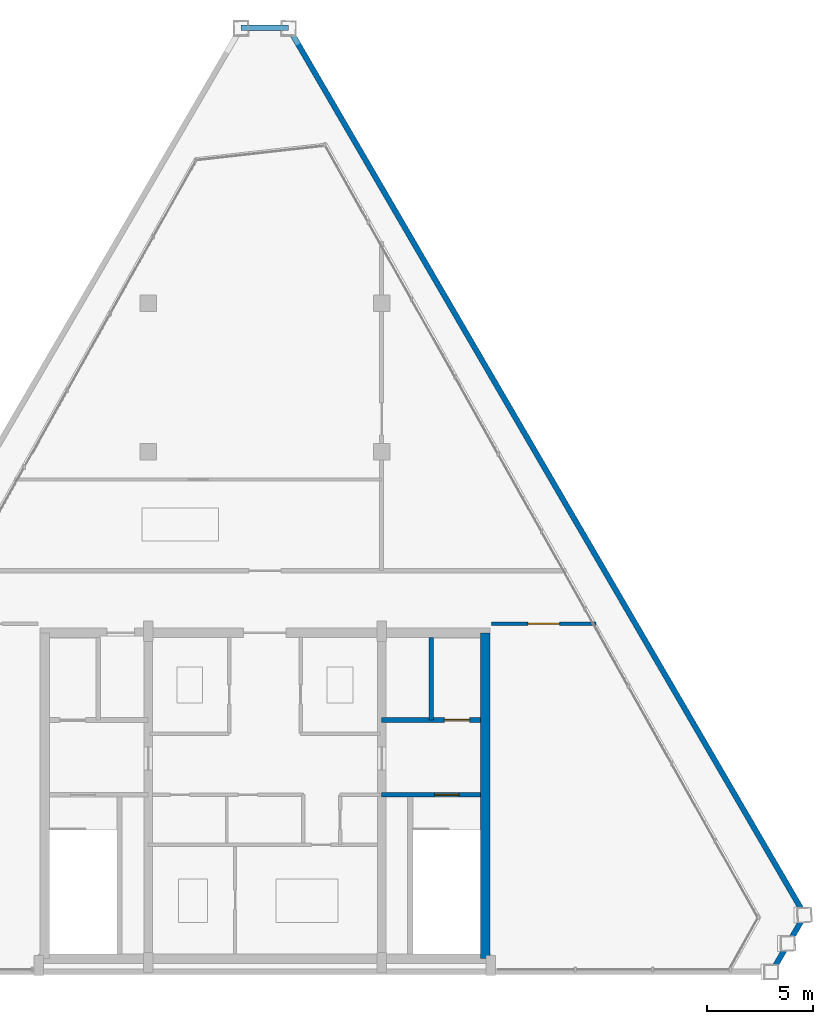
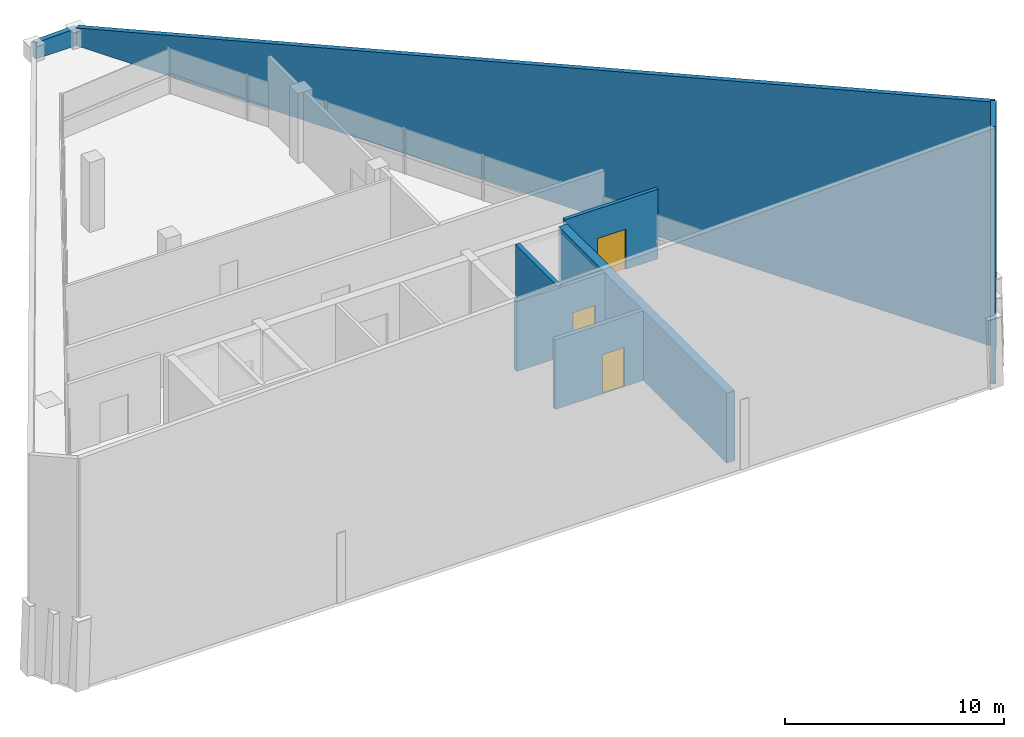
# One storey, part 7 of 8: 8 walls, 3 doors, 3 openings.
"""IFC4 building model written with IfcOpenShell, lengths in metres."""

from ifc_helpers import new_model, si_unit, direction, frame, frame_2d, origin, place, context, subcontext, project, spatial, polyline, rectangle, outline, extrude, source, transform, mapped, material, layer, layer_set, type_object, type_shapes, element, fill, save


model = new_model("IFC4")

# Units and contexts
model_context = context("Model", 3, precision=1e-05, world=origin(), true_north=direction((0.0, 1.0)))
body_context = subcontext(model_context, "Body", "Model", "MODEL_VIEW")
ifc_project = project(units=[si_unit("LENGTHUNIT", "METRE"), si_unit("AREAUNIT", "SQUARE_METRE"), si_unit("VOLUMEUNIT", "CUBIC_METRE"), si_unit("PLANEANGLEUNIT", "RADIAN"), si_unit("MASSUNIT", "GRAM", prefix="KILO")], contexts=[model_context])

# Site, building, storey
site_placement = place(None, origin())
site = spatial("IfcSite", under=ifc_project, at=site_placement, CompositionType="ELEMENT")
building_placement = place(site_placement, origin())
building = spatial("IfcBuilding", under=site, at=building_placement, Name="Varnakhor Terracotta Tower", CompositionType="ELEMENT")
storey_placement = place(building_placement, frame((0.0, 0.0, 329.199951171875)))
storey = spatial("IfcBuildingStorey", under=building, at=storey_placement, Name="L86 Crown", CompositionType="ELEMENT", Elevation=329.199951171875)

# Wall
ifc_material_1 = material(Name="Concrete C50/60", Category="concrete")
ifc_layer_1 = layer(ifc_material_1, 0.449951171875, Name="Concrete C50/60")
ifc_layer_set_1 = layer_set([ifc_layer_1], Name="Concrete C50/60")
wall_type_1 = type_object("IfcWallType", Name="WAL-CORE-450", PredefinedType="SHEAR", material=ifc_layer_set_1)
wall_1_placement = place(storey_placement, frame((10.375, 0.625, 0.0), z_axis=(0.0, 0.0, 1.0), x_axis=(0.0, 1.0, 0.0)))
element("IfcWall", 1, at=wall_1_placement, inside=storey, type_object=wall_type_1, Name="L86 Crown East Core Shear Wall", PredefinedType="SHEAR", context=body_context, shape_type="SweptSolid", body=[
    extrude(rectangle(XDim=15.35009765625, YDim=0.449951171875, at=frame_2d((7.675048828125, 0.0))), origin(), (0.0, 0.0, 1.0), 3.900146484375),
])

# Wall, opening, door
ifc_material_2 = material(Name="Fire-Rated Gypsum Stud Partition", Category="gypsum")
ifc_layer_2 = layer(ifc_material_2, 0.18505859375, Name="Fire-Rated Gypsum Stud Partition")
ifc_layer_set_2 = layer_set([ifc_layer_2], Name="Fire-Rated Gypsum Stud Partition")
wall_type_2 = type_object("IfcWallType", Name="WAL-CORR-185", PredefinedType="PARTITIONING", material=ifc_layer_set_2)
wall_2_placement = place(storey_placement, frame((10.679931640625, 16.39990234375, 0.0), z_axis=(0.0, 0.0, 1.0), x_axis=(1.0, 0.0, 0.0)))
wall_2 = element("IfcWall", 2, at=wall_2_placement, inside=storey, type_object=wall_type_2, Name="L86 Crown East Plant Wall", PredefinedType="PARTITIONING", context=body_context, shape_type="SweptSolid", body=[
    extrude(rectangle(XDim=4.911376953125, YDim=0.18505859375, at=frame_2d((2.45556640625, 0.0))), origin(), (0.0, 0.0, 1.0), 3.89501953125),
])
opening_1_placement = place(wall_2_placement, frame((1.705810546875, 0.0, 0.0)))
opening_1 = element("IfcOpeningElement", 3, at=opening_1_placement, cuts=wall_2, Name="Opening DR-30", PredefinedType="OPENING", context=body_context, shape_type="SweptSolid", body=[
    extrude(rectangle(XDim=1.5, YDim=2.25, at=frame_2d((0.75, 1.125))), frame((0.0, 0.1025390625, 0.0), z_axis=(0.0, -1.0, 0.0), x_axis=(1.0, 0.0, 0.0)), (0.0, 0.0, 1.0), 0.205078125),
])
ifc_material_3 = material(Name="Double Acoustic Conference Room Door", Category="wood")
door_type_1 = type_object("IfcDoorType", Name="DR-MEET-1500X2250", OperationType="NOTDEFINED", PredefinedType="DOOR", material=ifc_material_3)
shared_shape_1 = source(origin(), body_context, "Body", "SweptSolid", [
    extrude(rectangle(XDim=1.5, YDim=2.25, at=frame_2d((0.75, 1.125))), frame((0.0, 0.02490234375, 0.0), z_axis=(0.0, -1.0, 0.0), x_axis=(1.0, 0.0, 0.0)), (0.0, 0.0, 1.0), 0.050048828125),
])
type_shapes(door_type_1, [shared_shape_1])
door_1_placement = place(opening_1_placement, origin())
door_1 = element("IfcDoor", 4, at=door_1_placement, inside=storey, type_object=door_type_1, Name="L86 Crown East Electrical Room Door", OperationType="DOUBLE_DOOR_SINGLE_SWING", OverallHeight=2.25, OverallWidth=1.5, PredefinedType="DOOR", context=body_context, shape_type="MappedRepresentation", body=[
    mapped(shared_shape_1, transform((0.0, 0.0, 0.0), scale=1.0)),
])
fill(opening_1, door_1)

ifc_material_4 = material(Name="Concrete C40/50", Category="concrete")
ifc_layer_3 = layer(ifc_material_4, 0.219970703125, Name="Concrete C40/50")
ifc_layer_set_3 = layer_set([ifc_layer_3], Name="Concrete C40/50")
wall_type_3 = type_object("IfcWallType", Name="WAL-FFLOBBY-220", PredefinedType="SOLIDWALL", material=ifc_layer_set_3)
wall_3_placement = place(storey_placement, frame((10.14990234375, 8.35009765625, 0.0), z_axis=(0.0, 0.0, 1.0), x_axis=(-1.0, 0.0, 0.0)))
wall_3 = element("IfcWall", 5, at=wall_3_placement, inside=storey, type_object=wall_type_3, Name="L86 Crown East Firefighting Lobby Stair Wall", PredefinedType="SOLIDWALL", context=body_context, shape_type="SweptSolid", body=[
    extrude(rectangle(XDim=4.64990234375, YDim=0.219970703125, at=frame_2d((2.324951171875, 0.0))), origin(), (0.0, 0.0, 1.0), 3.900146484375),
])
opening_2_placement = place(wall_3_placement, frame((1.0, 0.0, 0.0)))
opening_2 = element("IfcOpeningElement", 6, at=opening_2_placement, cuts=wall_3, Name="Opening DR-34", PredefinedType="OPENING", context=body_context, shape_type="SweptSolid", body=[
    extrude(rectangle(XDim=1.14990234375, YDim=2.199951171875, at=frame_2d((0.574951171875, 1.10009765625))), frame((0.0, 0.1201171875, 0.0), z_axis=(0.0, -1.0, 0.0), x_axis=(1.0, 0.0, 0.0)), (0.0, 0.0, 1.0), 0.239990234375),
])
ifc_material_5 = material(Name="Self-Closing Smoke-Sealed Steel Fire Door", Category="steel")
door_type_2 = type_object("IfcDoorType", Name="DR-STAIR-1150X2200", OperationType="NOTDEFINED", PredefinedType="DOOR", material=ifc_material_5)
shared_shape_2 = source(origin(), body_context, "Body", "SweptSolid", [
    extrude(rectangle(XDim=1.14990234375, YDim=2.199951171875, at=frame_2d((0.574951171875, 1.10009765625))), frame((0.0, 0.02490234375, 0.0), z_axis=(0.0, -1.0, 0.0), x_axis=(1.0, 0.0, 0.0)), (0.0, 0.0, 1.0), 0.050048828125),
])
type_shapes(door_type_2, [shared_shape_2])
door_2_placement = place(opening_2_placement, origin())
door_2 = element("IfcDoor", 7, at=door_2_placement, inside=storey, type_object=door_type_2, Name="L86 Crown Exit Stair ST-2 Fire Door", OperationType="SINGLE_SWING_LEFT", OverallHeight=2.199951171875, OverallWidth=1.14990234375, PredefinedType="DOOR", context=body_context, shape_type="MappedRepresentation", body=[
    mapped(shared_shape_2, transform((0.0, 0.0, 0.0), scale=1.0)),
])
fill(opening_2, door_2)

# Walls
ifc_material_6 = material(Name="Extruded Architectural Terracotta Parapet", Category="masonry")
ifc_layer_4 = layer(ifc_material_6, 0.260009765625, Name="Extruded Architectural Terracotta Parapet")
ifc_layer_set_4 = layer_set([ifc_layer_4], Name="Extruded Architectural Terracotta Parapet")
wall_type_4 = type_object("IfcWallType", Name="WAL-PARAPET-260", PredefinedType="PARAPET", material=ifc_layer_set_4)
wall_4_placement = place(storey_placement, frame((-1.1201171875, 44.468017578125, 0.0), z_axis=(0.0, 0.0, 1.0), x_axis=(1.0, 0.0, 0.0)))
element("IfcWall", 8, at=wall_4_placement, inside=storey, type_object=wall_type_4, Name="Crown Sloped Terracotta Closure Wall 2", PredefinedType="PARAPET", context=body_context, shape_type="SweptSolid", body=[
    extrude(outline(polyline([(0.0, 0.0), (2.240234375, 0.0), (2.240478515625, 0.966796875), (0.0, 0.895263671875), (0.0, 0.0)])), frame((0.0, 0.1298828125, 0.0), z_axis=(0.0, -1.0, 0.0), x_axis=(1.0, 0.0, 0.0)), (0.0, 0.0, 1.0), 0.260009765625),
])
wall_5_placement = place(storey_placement, frame((1.1201171875, 44.468017578125, 0.0), z_axis=(0.0, 0.0, 1.0), x_axis=(0.502900849173, -0.864344107344, 0.0)))
element("IfcWall", 9, at=wall_5_placement, inside=storey, type_object=wall_type_4, Name="Crown Sloped Terracotta Closure Wall 3", PredefinedType="PARAPET", context=body_context, shape_type="SweptSolid", body=[
    extrude(outline(polyline([(0.0, 0.0), (48.347412109375, 0.0), (48.347412109375, 13.654541015625), (0.0, 0.966796875), (0.0, 0.0)])), frame((0.0, 0.1298828125, 0.0), z_axis=(0.0, -1.0, 0.0), x_axis=(1.0, 0.0, 0.0)), (0.0, 0.0, 1.0), 0.260009765625),
])
wall_6_placement = place(storey_placement, frame((25.43408203125, 2.67919921875, 0.0), z_axis=(0.0, 0.0, 1.0), x_axis=(-0.502842220965, -0.864378216301, 0.0)))
element("IfcWall", 10, at=wall_6_placement, inside=storey, type_object=wall_type_4, Name="Crown Sloped Terracotta Closure Wall 4", PredefinedType="PARAPET", context=body_context, shape_type="SweptSolid", body=[
    extrude(outline(polyline([(0.0, 0.0), (3.099609375, 0.0), (3.099609375, 14.368408203125), (0.0, 13.654541015625), (0.0, 0.0)])), frame((0.0, 0.1298828125, 0.0), z_axis=(0.0, -1.0, 0.0), x_axis=(1.0, 0.0, 0.0)), (0.0, 0.0, 1.0), 0.260009765625),
])
ifc_layer_5 = layer(ifc_material_4, 0.219970703125, Name="Concrete C40/50")
ifc_layer_set_5 = layer_set([ifc_layer_5], Name="Concrete C40/50")
wall_type_5 = type_object("IfcWallType", Name="WAL-SHAFT-220", PredefinedType="SOLIDWALL", material=ifc_layer_set_5)
wall_7_placement = place(storey_placement, frame((7.840087890625, 11.8701171875, 0.0), z_axis=(0.0, 0.0, 1.0), x_axis=(0.0, 1.0, 0.0)))
element("IfcWall", 11, at=wall_7_placement, inside=storey, type_object=wall_type_5, Name="L86 Crown Lift FFL-2 and Riser Divider Wall", PredefinedType="SOLIDWALL", context=body_context, shape_type="SweptSolid", body=[
    extrude(rectangle(XDim=3.8798828125, YDim=0.219970703125, at=frame_2d((1.93994140625, 0.0))), origin(), (0.0, 0.0, 1.0), 3.900146484375),
])

# Wall, opening, door
ifc_layer_6 = layer(ifc_material_4, 0.25, Name="Concrete C40/50")
ifc_layer_set_6 = layer_set([ifc_layer_6], Name="Concrete C40/50")
wall_type_6 = type_object("IfcWallType", Name="WAL-SHAFT-250", PredefinedType="SOLIDWALL", material=ifc_layer_set_6)
wall_8_placement = place(storey_placement, frame((10.14990234375, 11.8701171875, 0.0), z_axis=(0.0, 0.0, 1.0), x_axis=(-1.0, 0.0, 0.0)))
wall_8 = element("IfcWall", 12, at=wall_8_placement, inside=storey, type_object=wall_type_6, Name="L86 Crown Lift FFL-2 Shaft Front Wall", PredefinedType="SOLIDWALL", context=body_context, shape_type="SweptSolid", body=[
    extrude(rectangle(XDim=4.64990234375, YDim=0.25, at=frame_2d((2.324951171875, 0.0))), origin(), (0.0, 0.0, 1.0), 3.900146484375),
])
opening_3_placement = place(wall_8_placement, frame((0.5, 0.0, 0.0)))
opening_3 = element("IfcOpeningElement", 13, at=opening_3_placement, cuts=wall_8, Name="Opening LD-02", PredefinedType="OPENING", context=body_context, shape_type="SweptSolid", body=[
    extrude(rectangle(XDim=1.199951171875, YDim=2.25, at=frame_2d((0.60009765625, 1.125))), frame((0.0, 0.135009765625, 0.0), z_axis=(0.0, -1.0, 0.0), x_axis=(1.0, 0.0, 0.0)), (0.0, 0.0, 1.0), 0.27001953125),
])
ifc_material_7 = material(Name="Firefighting Stretcher Sliding Lift Landing Door", Category="steel")
door_type_3 = type_object("IfcDoorType", Name="LD-FFL-1200X2250", OperationType="NOTDEFINED", PredefinedType="DOOR", material=ifc_material_7)
shared_shape_3 = source(origin(), body_context, "Body", "SweptSolid", [
    extrude(rectangle(XDim=1.199951171875, YDim=2.25, at=frame_2d((0.60009765625, 1.125))), frame((0.0, 0.02490234375, 0.0), z_axis=(0.0, -1.0, 0.0), x_axis=(1.0, 0.0, 0.0)), (0.0, 0.0, 1.0), 0.050048828125),
])
type_shapes(door_type_3, [shared_shape_3])
door_3_placement = place(opening_3_placement, origin())
door_3 = element("IfcDoor", 14, at=door_3_placement, inside=storey, type_object=door_type_3, Name="L86 Crown Firefighting Lift FFL-2 Landing Door", OperationType="SLIDING_TO_RIGHT", OverallHeight=2.25, OverallWidth=1.199951171875, PredefinedType="DOOR", context=body_context, shape_type="MappedRepresentation", body=[
    mapped(shared_shape_3, transform((0.0, 0.0, 0.0), scale=1.0)),
])
fill(opening_3, door_3)

save(model, "model.ifc")
